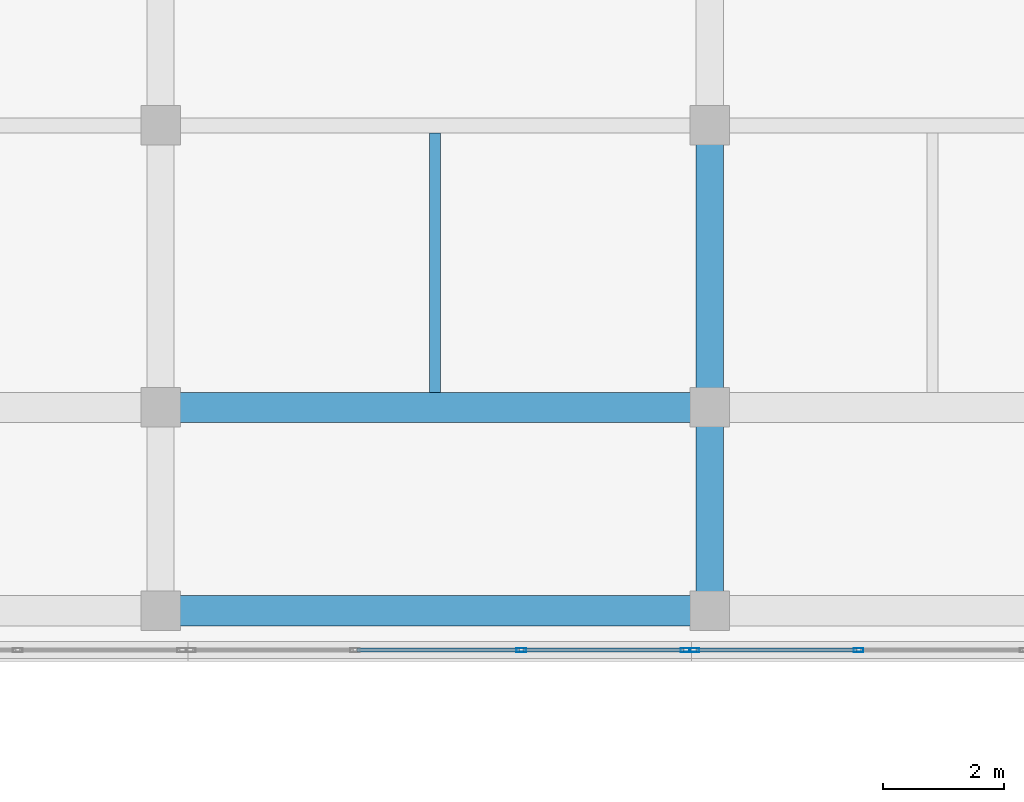
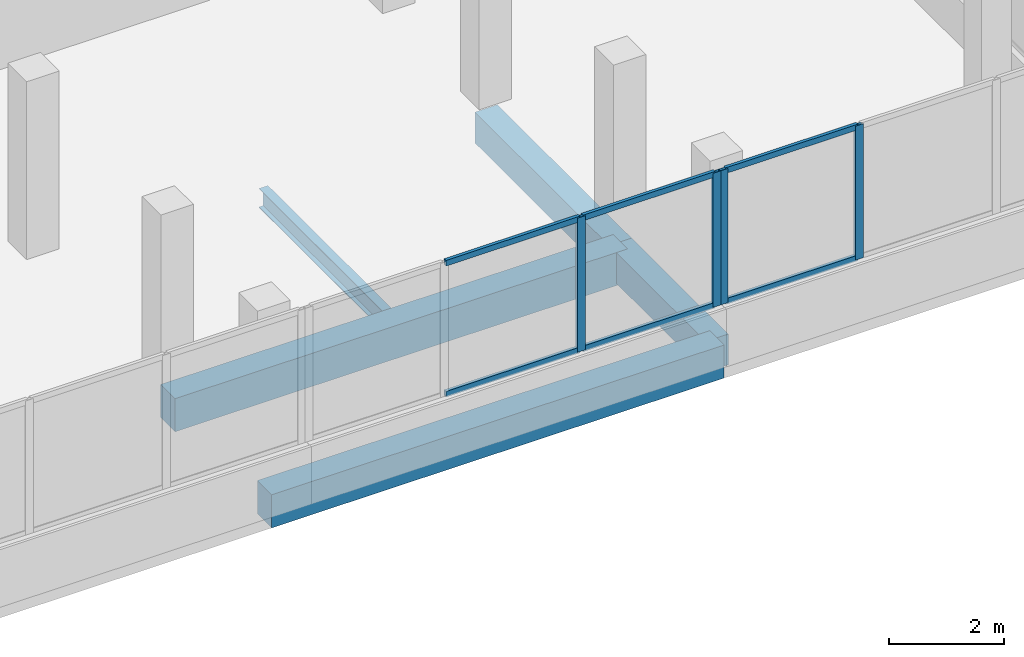
# One storey, part 41 of 78: 10 members, 5 beams, 2 elements without a shape of their own.
"""IFC4 building model written with IfcOpenShell, lengths in metres."""

from ifc_helpers import new_model, si_unit, direction, frame, origin, origin_2d, place, context, subcontext, project, spatial, rectangle, hollow_rectangle, i_section, extrude, material, material_profile, profile_set, type_object, element, aggregate, save


model = new_model("IFC4")

# Units and contexts
model_context = context("Model", 3, precision=1e-05, world=origin(), true_north=direction((0.0, 1.0)))
body_context = subcontext(model_context, "Body", "Model", "MODEL_VIEW")
ifc_project = project(units=[si_unit("LENGTHUNIT", "METRE"), si_unit("AREAUNIT", "SQUARE_METRE"), si_unit("VOLUMEUNIT", "CUBIC_METRE"), si_unit("PLANEANGLEUNIT", "RADIAN"), si_unit("MASSUNIT", "GRAM", prefix="KILO")], contexts=[model_context])

# Site, building, storey
site_placement = place(None, origin())
site = spatial("IfcSite", under=ifc_project, at=site_placement, CompositionType="ELEMENT")
building_placement = place(site_placement, origin())
building = spatial("IfcBuilding", under=site, at=building_placement, Name="Selatvlak General Hospital", CompositionType="ELEMENT")
storey_placement = place(building_placement, frame((0.0, 0.0, 23.25)))
storey = spatial("IfcBuildingStorey", under=building, at=storey_placement, Name="L05", CompositionType="ELEMENT", Elevation=23.25)

# Beams
ifc_material_1 = material(Name="Concrete C40/50", Category="concrete")
ifc_material_profile_1 = material_profile(ifc_material_1, rectangle(XDim=0.5, YDim=0.699951171875, at=origin_2d()), Name="RC-BM 500x700")
ifc_profile_set_1 = profile_set([ifc_material_profile_1], Name="Concrete C40/50")
beam_type_1 = type_object("IfcBeamType", Name="BM-G03", PredefinedType="BEAM", material=ifc_profile_set_1)
for number, where, z_axis, x_axis, name in (
    (1, (164.949951171875, 64.64990234375, -0.6298828125), (1.0, 0.0, 0.0), (0.0, 1.0, 0.0), "Beam BMR-L05-1854"),
    (2, (164.949951171875, 68.0, -0.6298828125), (1.0, 0.0, 0.0), (0.0, 1.0, 0.0), "Beam BMR-L05-1861"),
):
    element("IfcBeam", number, at=place(storey_placement, frame(where, z_axis=z_axis, x_axis=x_axis)), inside=storey, type_object=beam_type_1, Name=name, PredefinedType="BEAM", context=body_context, shape_type="SweptSolid", body=[
        extrude(rectangle(XDim=0.5, YDim=0.699951171875, at=origin_2d()), origin(), (0.0, 0.0, 1.0), 9.050048828125),
    ])
ifc_material_profile_2 = material_profile(ifc_material_1, rectangle(XDim=0.449951171875, YDim=0.64990234375, at=origin_2d()), Name="RC-BM 450x650")
ifc_profile_set_2 = profile_set([ifc_material_profile_2], Name="Concrete C40/50")
beam_type_2 = type_object("IfcBeamType", Name="BM-G04", PredefinedType="BEAM", material=ifc_profile_set_2)
beam_1_placement = place(storey_placement, frame((174.0, 64.64990234375, -0.60498046875), z_axis=(0.0, 1.0, 0.0), x_axis=(-1.0, 0.0, 0.0)))
element("IfcBeam", 3, at=beam_1_placement, inside=storey, type_object=beam_type_2, Name="Beam BMR-L05-2095", PredefinedType="BEAM", context=body_context, shape_type="SweptSolid", body=[
    extrude(rectangle(XDim=0.449951171875, YDim=0.64990234375, at=origin_2d()), origin(), (0.0, 0.0, 1.0), 3.35009765625),
])
beam_2_placement = place(storey_placement, frame((174.0, 68.0, -0.60498046875), z_axis=(0.0, 1.0, 0.0), x_axis=(-1.0, 0.0, 0.0)))
element("IfcBeam", 4, at=beam_2_placement, inside=storey, type_object=beam_type_2, Name="Beam BMR-L05-2096", PredefinedType="BEAM", context=body_context, shape_type="SweptSolid", body=[
    extrude(rectangle(XDim=0.449951171875, YDim=0.64990234375, at=origin_2d()), origin(), (0.0, 0.0, 1.0), 4.64990234375),
])
ifc_material_2 = material(Name="Steel S355", Category="steel")
ifc_material_profile_3 = material_profile(ifc_material_2, i_section(OverallWidth=0.177978515625, OverallDepth=0.406494140625, WebThickness=0.0078125, FlangeThickness=0.0126953125, at=origin_2d()), Name="UB 406x178x60")
ifc_profile_set_3 = profile_set([ifc_material_profile_3], Name="Steel S355")
beam_type_3 = type_object("IfcBeamType", Name="BM-J04", PredefinedType="JOIST", material=ifc_profile_set_3)
beam_3_placement = place(storey_placement, frame((169.47509765625, 68.25, -0.48291015625), z_axis=(0.0, 1.0, 0.0), x_axis=(-1.0, 0.0, 0.0)))
element("IfcBeam", 5, at=beam_3_placement, inside=storey, type_object=beam_type_3, Name="Beam BMR-L05-2116", PredefinedType="JOIST", context=body_context, shape_type="SweptSolid", body=[
    extrude(i_section(OverallWidth=0.177978515625, OverallDepth=0.406494140625, WebThickness=0.0078125, FlangeThickness=0.0126953125, at=origin_2d()), origin(), (0.0, 0.0, 1.0), 4.27490234375),
])

# Curtain wall, members
ifc_material_3 = material(Name="Solar-control Low-E double glazing", Category="glass")
curtain_wall_type_1 = type_object("IfcCurtainWallType", Name="CW-CW-01", PredefinedType="USERDEFINED", material=ifc_material_3)
curtain_wall_1_placement = place(storey_placement, origin())
curtain_wall_1 = element("IfcCurtainWall", 6, at=curtain_wall_1_placement, inside=storey, type_object=curtain_wall_type_1, Name="Glazed facade curtain wall CW-L05-0573", ObjectType="UNITISED CURTAIN WALL", PredefinedType="USERDEFINED")
ifc_material_4 = material(Name="Dark anodised aluminium mullion", Category="aluminium")
ifc_material_profile_4 = material_profile(ifc_material_4, hollow_rectangle(XDim=0.06494140625, YDim=0.159912109375, WallThickness=0.00390625, at=origin_2d()), Name="AL-MUL 65x160x4")
ifc_profile_set_4 = profile_set([ifc_material_profile_4], Name="Dark anodised aluminium mullion")
member_type_1 = type_object("IfcMemberType", Name="CWM-01", PredefinedType="MULLION", material=ifc_profile_set_4)
member_1_placement = place(storey_placement, frame((176.455078125, 64.0009765625, 0.93994140625), z_axis=(0.0, 0.0, 1.0), x_axis=(0.0, -1.0, 0.0)))
member_1 = element("IfcMember", 7, at=member_1_placement, type_object=member_type_1, Name="CW-01 mullion 3", PredefinedType="MULLION", context=body_context, shape_type="SweptSolid", body=[
    extrude(hollow_rectangle(XDim=0.06494140625, YDim=0.159912109375, WallThickness=0.00390625, at=origin_2d()), origin(), (0.0, 0.0, 1.0), 2.8349609375),
])
member_2_placement = place(storey_placement, frame((173.74755859375, 64.0009765625, 0.93994140625), z_axis=(0.0, 0.0, 1.0), x_axis=(0.0, -1.0, 0.0)))
member_2 = element("IfcMember", 8, at=member_2_placement, type_object=member_type_1, Name="CW-01 mullion 4", PredefinedType="MULLION", context=body_context, shape_type="SweptSolid", body=[
    extrude(hollow_rectangle(XDim=0.06494140625, YDim=0.159912109375, WallThickness=0.00390625, at=origin_2d()), origin(), (0.0, 0.0, 1.0), 2.8349609375),
])

curtain_wall_type_2 = type_object("IfcCurtainWallType", Name="CW-CW-02", PredefinedType="USERDEFINED", material=ifc_material_3)
curtain_wall_2_placement = place(storey_placement, origin())
curtain_wall_2 = element("IfcCurtainWall", 9, at=curtain_wall_2_placement, inside=storey, type_object=curtain_wall_type_2, Name="Glazed facade curtain wall CW-L05-0574", ObjectType="UNITISED CURTAIN WALL", PredefinedType="USERDEFINED")
member_3_placement = place(storey_placement, frame((173.6025390625, 64.0009765625, 0.93994140625), z_axis=(0.0, 0.0, 1.0), x_axis=(0.0, -1.0, 0.0)))
member_3 = element("IfcMember", 10, at=member_3_placement, type_object=member_type_1, Name="CW-02 mullion 1", PredefinedType="MULLION", context=body_context, shape_type="SweptSolid", body=[
    extrude(hollow_rectangle(XDim=0.06494140625, YDim=0.159912109375, WallThickness=0.00390625, at=origin_2d()), origin(), (0.0, 0.0, 1.0), 2.8349609375),
])
member_4_placement = place(storey_placement, frame((170.89501953125, 64.0009765625, 0.93994140625), z_axis=(0.0, 0.0, 1.0), x_axis=(0.0, -1.0, 0.0)))
member_4 = element("IfcMember", 11, at=member_4_placement, type_object=member_type_1, Name="CW-02 mullion 2", PredefinedType="MULLION", context=body_context, shape_type="SweptSolid", body=[
    extrude(hollow_rectangle(XDim=0.06494140625, YDim=0.159912109375, WallThickness=0.00390625, at=origin_2d()), origin(), (0.0, 0.0, 1.0), 2.8349609375),
])

# Member
ifc_material_profile_5 = material_profile(ifc_material_4, hollow_rectangle(XDim=0.06494140625, YDim=0.1201171875, WallThickness=0.00390625, at=origin_2d()), Name="AL-TRN 65x120x4")
ifc_profile_set_5 = profile_set([ifc_material_profile_5], Name="Dark anodised aluminium mullion")
member_type_2 = type_object("IfcMemberType", Name="CWT-01", PredefinedType="USERDEFINED", material=ifc_profile_set_5)
member_5_placement = place(storey_placement, frame((176.422607421875, 64.0009765625, 0.972412109375), z_axis=(-1.0, 0.0, 0.0), x_axis=(0.0, -1.0, 0.0)))
member_5 = element("IfcMember", 12, at=member_5_placement, type_object=member_type_2, Name="CW-01 transom 3.1", ObjectType="TRANSOM", PredefinedType="USERDEFINED", context=body_context, shape_type="SweptSolid", body=[
    extrude(hollow_rectangle(XDim=0.06494140625, YDim=0.1201171875, WallThickness=0.00390625, at=origin_2d()), origin(), (0.0, 0.0, 1.0), 2.642578125),
])

member_6_placement = place(storey_placement, frame((176.422607421875, 64.0009765625, 3.742431640625), z_axis=(-1.0, 0.0, 0.0), x_axis=(0.0, -1.0, 0.0)))
member_6 = element("IfcMember", 13, at=member_6_placement, type_object=member_type_2, Name="CW-01 transom 3.2", ObjectType="TRANSOM", PredefinedType="USERDEFINED", context=body_context, shape_type="SweptSolid", body=[
    extrude(hollow_rectangle(XDim=0.06494140625, YDim=0.1201171875, WallThickness=0.00390625, at=origin_2d()), origin(), (0.0, 0.0, 1.0), 2.642578125),
])

aggregate(curtain_wall_1, [member_1, member_2, member_5, member_6])

member_7_placement = place(storey_placement, frame((173.570068359375, 64.0009765625, 0.972412109375), z_axis=(-1.0, 0.0, 0.0), x_axis=(0.0, -1.0, 0.0)))
member_7 = element("IfcMember", 14, at=member_7_placement, type_object=member_type_2, Name="CW-02 transom 1.1", ObjectType="TRANSOM", PredefinedType="USERDEFINED", context=body_context, shape_type="SweptSolid", body=[
    extrude(hollow_rectangle(XDim=0.06494140625, YDim=0.1201171875, WallThickness=0.00390625, at=origin_2d()), origin(), (0.0, 0.0, 1.0), 2.642578125),
])

member_8_placement = place(storey_placement, frame((173.570068359375, 64.0009765625, 3.742431640625), z_axis=(-1.0, 0.0, 0.0), x_axis=(0.0, -1.0, 0.0)))
member_8 = element("IfcMember", 15, at=member_8_placement, type_object=member_type_2, Name="CW-02 transom 1.2", ObjectType="TRANSOM", PredefinedType="USERDEFINED", context=body_context, shape_type="SweptSolid", body=[
    extrude(hollow_rectangle(XDim=0.06494140625, YDim=0.1201171875, WallThickness=0.00390625, at=origin_2d()), origin(), (0.0, 0.0, 1.0), 2.642578125),
])

member_9_placement = place(storey_placement, frame((170.862548828125, 64.0009765625, 0.972412109375), z_axis=(-1.0, 0.0, 0.0), x_axis=(0.0, -1.0, 0.0)))
member_9 = element("IfcMember", 16, at=member_9_placement, type_object=member_type_2, Name="CW-02 transom 2.1", ObjectType="TRANSOM", PredefinedType="USERDEFINED", context=body_context, shape_type="SweptSolid", body=[
    extrude(hollow_rectangle(XDim=0.06494140625, YDim=0.1201171875, WallThickness=0.00390625, at=origin_2d()), origin(), (0.0, 0.0, 1.0), 2.675048828125),
])

member_10_placement = place(storey_placement, frame((170.862548828125, 64.0009765625, 3.742431640625), z_axis=(-1.0, 0.0, 0.0), x_axis=(0.0, -1.0, 0.0)))
member_10 = element("IfcMember", 17, at=member_10_placement, type_object=member_type_2, Name="CW-02 transom 2.2", ObjectType="TRANSOM", PredefinedType="USERDEFINED", context=body_context, shape_type="SweptSolid", body=[
    extrude(hollow_rectangle(XDim=0.06494140625, YDim=0.1201171875, WallThickness=0.00390625, at=origin_2d()), origin(), (0.0, 0.0, 1.0), 2.675048828125),
])

aggregate(curtain_wall_2, [member_3, member_4, member_7, member_8, member_9, member_10])

save(model, "model.ifc")
